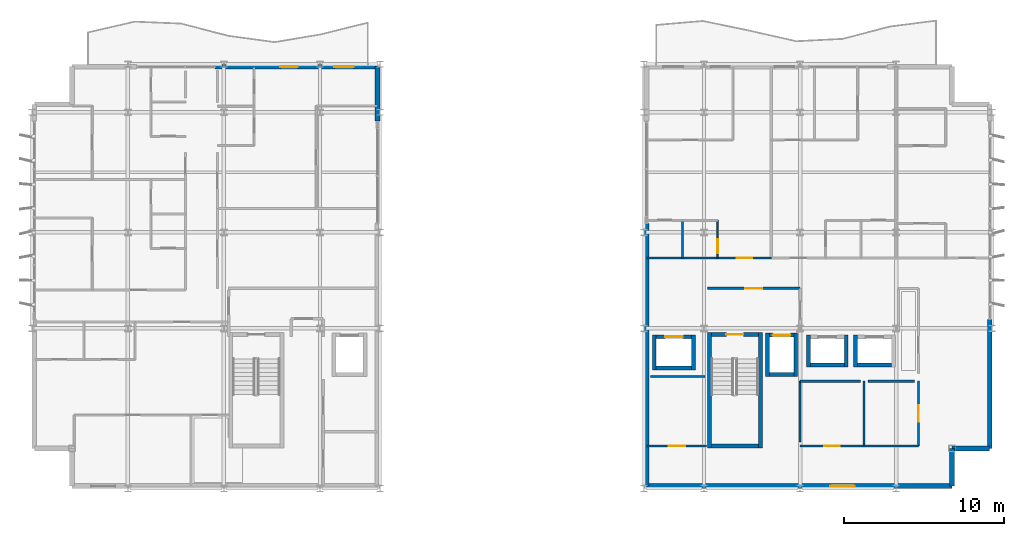
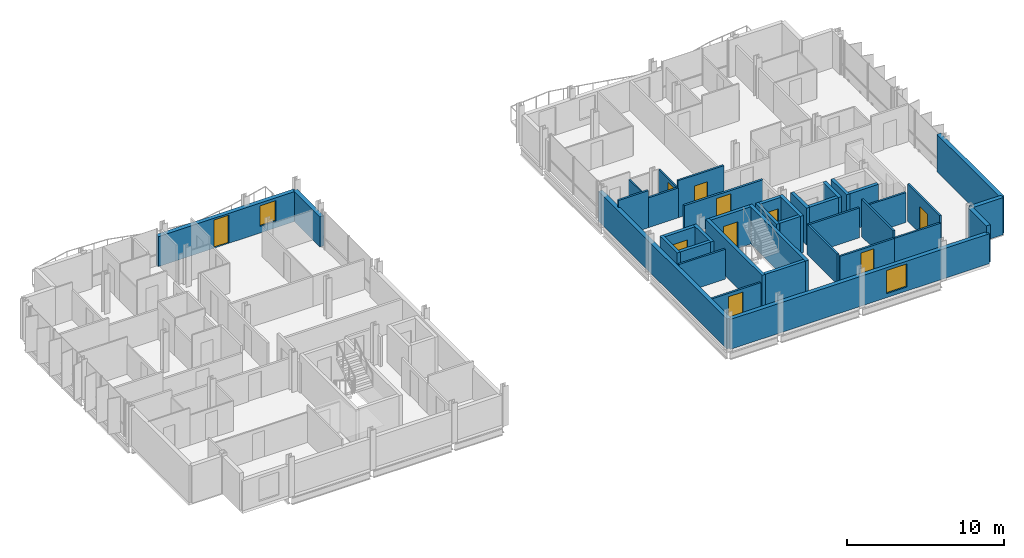
# One storey, part 23 of 29: 39 walls, 10 doors, 2 windows, 12 openings.
"""IFC4 building model written with IfcOpenShell, lengths in metres."""

from ifc_helpers import new_model, si_unit, direction, frame, frame_2d, origin, place, context, subcontext, project, spatial, rectangle, extrude, material, layer, layer_set, type_object, element, fill, save


model = new_model("IFC4")

# Units and contexts
model_context = context("Model", 3, precision=1e-05, world=origin(), true_north=direction((0.0, 1.0)))
body_context = subcontext(model_context, "Body", "Model", "MODEL_VIEW")
ifc_project = project(units=[si_unit("LENGTHUNIT", "METRE"), si_unit("AREAUNIT", "SQUARE_METRE"), si_unit("VOLUMEUNIT", "CUBIC_METRE"), si_unit("PLANEANGLEUNIT", "RADIAN"), si_unit("MASSUNIT", "GRAM", prefix="KILO")], contexts=[model_context])

# Site, building, storey
site_placement = place(None, origin())
site = spatial("IfcSite", under=ifc_project, at=site_placement, CompositionType="ELEMENT")
building_placement = place(site_placement, origin())
building = spatial("IfcBuilding", under=site, at=building_placement, Name="Brevholm Reach", CompositionType="ELEMENT")
storey_placement = place(building_placement, frame((0.0, 0.0, 198.699951171875)))
storey = spatial("IfcBuildingStorey", under=building, at=storey_placement, Name="L60", CompositionType="ELEMENT", Elevation=198.699951171875)

# Walls
ifc_material_1 = material(Name="Concrete C45/55", Category="concrete")
ifc_layer_1 = layer(ifc_material_1, 0.239990234375)
ifc_layer_set_1 = layer_set([ifc_layer_1], Name="Concrete C45/55")
wall_type_1 = type_object("IfcWallType", Name="WAL-COR-240", PredefinedType="SHEAR", material=ifc_layer_set_1)
for number, where, z_axis, x_axis, name in (
    (1, (42.330078125, 2.5400390625, 0.0), (0.0, 0.0, 1.0), (0.0, 1.0, 0.0), "L60 Escape Stair ST-2 Core Wall W"),
    (2, (45.52001953125, 2.5400390625, 0.0), (0.0, 0.0, 1.0), (0.0, 1.0, 0.0), "L60 Escape Stair ST-2 Core Wall E"),
):
    element("IfcWall", number, at=place(storey_placement, frame(where, z_axis=z_axis, x_axis=x_axis)), inside=storey, type_object=wall_type_1, Name=name, PredefinedType="SHEAR", context=body_context, shape_type="SweptSolid", body=[
        extrude(rectangle(XDim=7.199951171875, YDim=0.239990234375, at=frame_2d((3.60009765625, 0.0))), origin(), (0.0, 0.0, 1.0), 2.89013671875),
    ])
wall_1_placement = place(storey_placement, frame((42.449951171875, 2.659912109375, 0.0), z_axis=(0.0, 0.0, 1.0), x_axis=(1.0, 0.0, 0.0)))
element("IfcWall", 3, at=wall_1_placement, inside=storey, type_object=wall_type_1, Name="L60 Escape Stair ST-2 Core Wall S", PredefinedType="SHEAR", context=body_context, shape_type="SweptSolid", body=[
    extrude(rectangle(XDim=2.949951171875, YDim=0.239990234375, at=frame_2d((1.47509765625, 0.0))), origin(), (0.0, 0.0, 1.0), 2.89013671875),
])

# Wall, opening, door
wall_2_placement = place(storey_placement, frame((45.39990234375, 9.6201171875, 0.0), z_axis=(0.0, 0.0, 1.0), x_axis=(-1.0, 0.0, 0.0)))
wall_2 = element("IfcWall", 4, at=wall_2_placement, inside=storey, type_object=wall_type_1, Name="L60 Escape Stair ST-2 Core Wall N", PredefinedType="SHEAR", context=body_context, shape_type="SweptSolid", body=[
    extrude(rectangle(XDim=2.949951171875, YDim=0.239990234375, at=frame_2d((1.47509765625, 0.0))), origin(), (0.0, 0.0, 1.0), 2.89013671875),
])
opening_1_placement = place(wall_2_placement, frame((0.949951171875, 0.0, 0.0)))
opening_1 = element("IfcOpeningElement", 5, at=opening_1_placement, cuts=wall_2, Name="Opening SD-ST-2", PredefinedType="OPENING", context=body_context, shape_type="SweptSolid", body=[
    extrude(rectangle(XDim=1.050048828125, YDim=2.06005859375, at=frame_2d((0.52490234375, 1.030029296875))), frame((0.0, 0.1298828125, 0.0), z_axis=(0.0, -1.0, 0.0), x_axis=(1.0, 0.0, 0.0)), (0.0, 0.0, 1.0), 0.260009765625),
])
ifc_material_2 = material(Name="Hardwood-Lipped Steel-Core Fire and Smoke Door", Category="steel")
door_type_1 = type_object("IfcDoorType", Name="DOR-INT-FD60S", OperationType="NOTDEFINED", PredefinedType="DOOR", material=ifc_material_2)
door_1_placement = place(opening_1_placement, origin())
door_1 = element("IfcDoor", 6, at=door_1_placement, inside=storey, type_object=door_type_1, Name="L60 Protected Stair ST-2 Lobby Door", OperationType="SINGLE_SWING_LEFT", OverallHeight=2.06005859375, OverallWidth=1.050048828125, PredefinedType="DOOR", context=body_context, shape_type="SweptSolid", body=[
    extrude(rectangle(XDim=1.050048828125, YDim=2.06005859375, at=frame_2d((0.52490234375, 1.030029296875))), frame((0.0, 0.02490234375, 0.0), z_axis=(0.0, -1.0, 0.0), x_axis=(1.0, 0.0, 0.0)), (0.0, 0.0, 1.0), 0.050048828125),
])
fill(opening_1, door_1)

# Walls
for number, where, z_axis, x_axis, name in (
    (7, (45.969970703125, 7.0, 0.0), (0.0, 0.0, 1.0), (0.0, 1.0, 0.0), "L60 Lift FFL-2 Shaft Wall W"),
    (8, (47.72998046875, 7.0, 0.0), (0.0, 0.0, 1.0), (0.0, 1.0, 0.0), "L60 Lift FFL-2 Shaft Wall E"),
):
    element("IfcWall", number, at=place(storey_placement, frame(where, z_axis=z_axis, x_axis=x_axis)), inside=storey, type_object=wall_type_1, Name=name, PredefinedType="SHEAR", context=body_context, shape_type="SweptSolid", body=[
        extrude(rectangle(XDim=2.699951171875, YDim=0.239990234375, at=frame_2d((1.35009765625, 0.0))), origin(), (0.0, 0.0, 1.0), 2.89013671875),
    ])
wall_3_placement = place(storey_placement, frame((46.090087890625, 7.1201171875, 0.0), z_axis=(0.0, 0.0, 1.0), x_axis=(1.0, 0.0, 0.0)))
element("IfcWall", 9, at=wall_3_placement, inside=storey, type_object=wall_type_1, Name="L60 Lift FFL-2 Shaft Wall S", PredefinedType="SHEAR", context=body_context, shape_type="SweptSolid", body=[
    extrude(rectangle(XDim=1.52001953125, YDim=0.239990234375, at=frame_2d((0.760009765625, 0.0))), origin(), (0.0, 0.0, 1.0), 2.89013671875),
])

# Wall, opening, door
wall_4_placement = place(storey_placement, frame((46.090087890625, 9.580078125, 0.0), z_axis=(0.0, 0.0, 1.0), x_axis=(1.0, 0.0, 0.0)))
wall_4 = element("IfcWall", 10, at=wall_4_placement, inside=storey, type_object=wall_type_1, Name="L60 Lift FFL-2 Shaft Wall N", PredefinedType="SHEAR", context=body_context, shape_type="SweptSolid", body=[
    extrude(rectangle(XDim=1.52001953125, YDim=0.239990234375, at=frame_2d((0.760009765625, 0.0))), origin(), (0.0, 0.0, 1.0), 2.89013671875),
])
opening_2_placement = place(wall_4_placement, frame((0.2099609375, 0.0, 0.0)))
opening_2 = element("IfcOpeningElement", 11, at=opening_2_placement, cuts=wall_4, Name="Opening LD-FFL-2", PredefinedType="OPENING", context=body_context, shape_type="SweptSolid", body=[
    extrude(rectangle(XDim=1.10009765625, YDim=2.06005859375, at=frame_2d((0.550048828125, 1.030029296875))), frame((0.0, 0.1298828125, 0.0), z_axis=(0.0, -1.0, 0.0), x_axis=(1.0, 0.0, 0.0)), (0.0, 0.0, 1.0), 0.260009765625),
])
ifc_material_3 = material(Name="Brushed Stainless Steel Fire-Rated Sliding Lift Door", Category="steel")
door_type_2 = type_object("IfcDoorType", Name="DOR-LFT-1100", OperationType="NOTDEFINED", PredefinedType="DOOR", material=ifc_material_3)
door_2_placement = place(opening_2_placement, origin())
door_2 = element("IfcDoor", 12, at=door_2_placement, inside=storey, type_object=door_type_2, Name="L60 Lift FFL-2 Sliding Landing Door", OperationType="SLIDING_TO_LEFT", OverallHeight=2.06005859375, OverallWidth=1.10009765625, PredefinedType="DOOR", context=body_context, shape_type="SweptSolid", body=[
    extrude(rectangle(XDim=1.10009765625, YDim=2.06005859375, at=frame_2d((0.550048828125, 1.030029296875))), frame((0.0, 0.02490234375, 0.0), z_axis=(0.0, -1.0, 0.0), x_axis=(1.0, 0.0, 0.0)), (0.0, 0.0, 1.0), 0.050048828125),
])
fill(opening_2, door_2)

# Walls
for number, where, z_axis, x_axis, name in (
    (13, (38.889892578125, 7.39990234375, 0.0), (0.0, 0.0, 1.0), (0.0, 1.0, 0.0), "L60 Lift PL-S1 Shaft Wall W"),
    (14, (41.35009765625, 7.39990234375, 0.0), (0.0, 0.0, 1.0), (0.0, 1.0, 0.0), "L60 Lift PL-S1 Shaft Wall E"),
):
    element("IfcWall", number, at=place(storey_placement, frame(where, z_axis=z_axis, x_axis=x_axis)), inside=storey, type_object=wall_type_1, Name=name, PredefinedType="SHEAR", context=body_context, shape_type="SweptSolid", body=[
        extrude(rectangle(XDim=2.2001953125, YDim=0.239990234375, at=frame_2d((1.10009765625, 0.0))), origin(), (0.0, 0.0, 1.0), 2.89013671875),
    ])
wall_5_placement = place(storey_placement, frame((39.010009765625, 7.52001953125, 0.0), z_axis=(0.0, 0.0, 1.0), x_axis=(1.0, 0.0, 0.0)))
element("IfcWall", 15, at=wall_5_placement, inside=storey, type_object=wall_type_1, Name="L60 Lift PL-S1 Shaft Wall S", PredefinedType="SHEAR", context=body_context, shape_type="SweptSolid", body=[
    extrude(rectangle(XDim=2.219970703125, YDim=0.239990234375, at=frame_2d((1.10986328125, 0.0))), origin(), (0.0, 0.0, 1.0), 2.89013671875),
])

# Wall, opening, door
wall_6_placement = place(storey_placement, frame((39.010009765625, 9.47998046875, 0.0), z_axis=(0.0, 0.0, 1.0), x_axis=(1.0, 0.0, 0.0)))
wall_6 = element("IfcWall", 16, at=wall_6_placement, inside=storey, type_object=wall_type_1, Name="L60 Lift PL-S1 Shaft Wall N", PredefinedType="SHEAR", context=body_context, shape_type="SweptSolid", body=[
    extrude(rectangle(XDim=2.219970703125, YDim=0.239990234375, at=frame_2d((1.10986328125, 0.0))), origin(), (0.0, 0.0, 1.0), 2.89013671875),
])
opening_3_placement = place(wall_6_placement, frame((0.56005859375, 0.0, 0.0)))
opening_3 = element("IfcOpeningElement", 17, at=opening_3_placement, cuts=wall_6, Name="Opening LD-PL-S1", PredefinedType="OPENING", context=body_context, shape_type="SweptSolid", body=[
    extrude(rectangle(XDim=1.10009765625, YDim=2.06005859375, at=frame_2d((0.550048828125, 1.030029296875))), frame((0.0, 0.1298828125, 0.0), z_axis=(0.0, -1.0, 0.0), x_axis=(1.0, 0.0, 0.0)), (0.0, 0.0, 1.0), 0.260009765625),
])
door_3_placement = place(opening_3_placement, origin())
door_3 = element("IfcDoor", 18, at=door_3_placement, inside=storey, type_object=door_type_2, Name="L60 Lift PL-S1 Sliding Landing Door", OperationType="SLIDING_TO_RIGHT", OverallHeight=2.06005859375, OverallWidth=1.10009765625, PredefinedType="DOOR", context=body_context, shape_type="SweptSolid", body=[
    extrude(rectangle(XDim=1.10009765625, YDim=2.06005859375, at=frame_2d((0.550048828125, 1.030029296875))), frame((0.0, 0.02490234375, 0.0), z_axis=(0.0, -1.0, 0.0), x_axis=(1.0, 0.0, 0.0)), (0.0, 0.0, 1.0), 0.050048828125),
])
fill(opening_3, door_3)

# Walls
for number, where, z_axis, x_axis, name in (
    (19, (48.52001953125, 7.60009765625, 0.0), (0.0, 0.0, 1.0), (0.0, 1.0, 0.0), "L60 Lift PL-H1 Shaft Wall W"),
    (20, (50.8798828125, 7.60009765625, 0.0), (0.0, 0.0, 1.0), (0.0, 1.0, 0.0), "L60 Lift PL-H1 Shaft Wall E"),
):
    element("IfcWall", number, at=place(storey_placement, frame(where, z_axis=z_axis, x_axis=x_axis)), inside=storey, type_object=wall_type_1, Name=name, PredefinedType="SHEAR", context=body_context, shape_type="SweptSolid", body=[
        extrude(rectangle(XDim=2.0, YDim=0.239990234375, at=frame_2d((1.0, 0.0))), origin(), (0.0, 0.0, 1.0), 2.89013671875),
    ])
wall_7_placement = place(storey_placement, frame((48.639892578125, 7.719970703125, 0.0), z_axis=(0.0, 0.0, 1.0), x_axis=(1.0, 0.0, 0.0)))
element("IfcWall", 21, at=wall_7_placement, inside=storey, type_object=wall_type_1, Name="L60 Lift PL-H1 Shaft Wall S", PredefinedType="SHEAR", context=body_context, shape_type="SweptSolid", body=[
    extrude(rectangle(XDim=2.1201171875, YDim=0.239990234375, at=frame_2d((1.06005859375, 0.0))), origin(), (0.0, 0.0, 1.0), 2.89013671875),
])
wall_8_placement = place(storey_placement, frame((51.469970703125, 7.60009765625, 0.0), z_axis=(0.0, 0.0, 1.0), x_axis=(0.0, 1.0, 0.0)))
element("IfcWall", 22, at=wall_8_placement, inside=storey, type_object=wall_type_1, Name="L60 Lift PL-H2 Shaft Wall W", PredefinedType="SHEAR", context=body_context, shape_type="SweptSolid", body=[
    extrude(rectangle(XDim=2.0, YDim=0.239990234375, at=frame_2d((1.0, 0.0))), origin(), (0.0, 0.0, 1.0), 2.89013671875),
])
wall_9_placement = place(storey_placement, frame((51.590087890625, 7.719970703125, 0.0), z_axis=(0.0, 0.0, 1.0), x_axis=(1.0, 0.0, 0.0)))
element("IfcWall", 23, at=wall_9_placement, inside=storey, type_object=wall_type_1, Name="L60 Lift PL-H2 Shaft Wall S", PredefinedType="SHEAR", context=body_context, shape_type="SweptSolid", body=[
    extrude(rectangle(XDim=2.119873046875, YDim=0.239990234375, at=frame_2d((1.06005859375, 0.0))), origin(), (0.0, 0.0, 1.0), 2.89013671875),
])
ifc_material_4 = material(Name="Concrete C40/50", Category="concrete")
ifc_layer_2 = layer(ifc_material_4, 0.300048828125)
ifc_layer_set_2 = layer_set([ifc_layer_2], Name="Concrete C40/50")
wall_type_2 = type_object("IfcWallType", Name="WAL-EXT-300", PredefinedType="STANDARD", material=ifc_layer_set_2)
for number, where, z_axis, x_axis, name in (
    (24, (57.5, 0.14990234375, 0.0), (0.0, 0.0, 1.0), (0.0, 1.0, 0.0), "L60 Facade Wall WAL-L60-EW-CSE1"),
    (25, (57.5, 2.5, 0.0), (0.0, 0.0, 1.0), (1.0, 0.0, 0.0), "L60 Facade Wall WAL-L60-EW-CSE2"),
):
    element("IfcWall", number, at=place(storey_placement, frame(where, z_axis=z_axis, x_axis=x_axis)), inside=storey, type_object=wall_type_2, Name=name, PredefinedType="STANDARD", context=body_context, shape_type="SweptSolid", body=[
        extrude(rectangle(XDim=2.35009765625, YDim=0.300048828125, at=frame_2d((1.175048828125, 0.0))), origin(), (0.0, 0.0, 1.0), 2.89013671875),
    ])

# Wall, openings, door, window
wall_10_placement = place(storey_placement, frame((11.449951171875, 26.35009765625, 0.0), z_axis=(0.0, 0.0, 1.0), x_axis=(1.0, 0.0, 0.0)))
wall_10 = element("IfcWall", 26, at=wall_10_placement, inside=storey, type_object=wall_type_2, Name="L60 Facade Wall WAL-L60-WW-NP2", PredefinedType="STANDARD", context=body_context, shape_type="SweptSolid", body=[
    extrude(rectangle(XDim=10.150146484375, YDim=0.300048828125, at=frame_2d((5.0751953125, 0.0))), origin(), (0.0, 0.0, 1.0), 2.33203125),
])
opening_4_placement = place(wall_10_placement, frame((4.073974609375, 0.0, 0.0)))
opening_4 = element("IfcOpeningElement", 27, at=opening_4_placement, cuts=wall_10, Name="Opening BD-01", PredefinedType="OPENING", context=body_context, shape_type="SweptSolid", body=[
    extrude(rectangle(XDim=1.10009765625, YDim=2.199951171875, at=frame_2d((0.550048828125, 1.10009765625))), frame((0.0, 0.159912109375, 0.0), z_axis=(0.0, -1.0, 0.0), x_axis=(1.0, 0.0, 0.0)), (0.0, 0.0, 1.0), 0.320068359375),
])
opening_5_placement = place(wall_10_placement, frame((7.449951171875, 0.0, 0.511962890625)))
opening_5 = element("IfcOpeningElement", 28, at=opening_5_placement, cuts=wall_10, Name="Opening WN-08", PredefinedType="OPENING", context=body_context, shape_type="SweptSolid", body=[
    extrude(rectangle(XDim=1.199951171875, YDim=1.60009765625, at=frame_2d((0.60009765625, 0.800048828125))), frame((0.0, 0.159912109375, 0.0), z_axis=(0.0, -1.0, 0.0), x_axis=(1.0, 0.0, 0.0)), (0.0, 0.0, 1.0), 0.320068359375),
])
ifc_material_5 = material(Name="Dark Anodised Aluminium and Triple-Glazed Glass", Category="aluminium")
door_type_3 = type_object("IfcDoorType", Name="DOR-BALC-1100", OperationType="NOTDEFINED", PredefinedType="DOOR", material=ifc_material_5)
door_4_placement = place(opening_4_placement, origin())
door_4 = element("IfcDoor", 29, at=door_4_placement, inside=storey, type_object=door_type_3, Name="L60 Exterior Door DOR-L60-BL-NW", OperationType="SINGLE_SWING_LEFT", OverallHeight=2.199951171875, OverallWidth=1.10009765625, PredefinedType="DOOR", context=body_context, shape_type="SweptSolid", body=[
    extrude(rectangle(XDim=1.10009765625, YDim=2.199951171875, at=frame_2d((0.550048828125, 1.10009765625))), frame((0.0, 0.02490234375, 0.0), z_axis=(0.0, -1.0, 0.0), x_axis=(1.0, 0.0, 0.0)), (0.0, 0.0, 1.0), 0.050048828125),
])
fill(opening_4, door_4)
ifc_material_6 = material(Name="Dark Anodised Aluminium and Solar-Control IGU Glass", Category="aluminium")
window_type_1 = type_object("IfcWindowType", Name="WIN-RES-1200", PartitioningType="SINGLE_PANEL", PredefinedType="WINDOW", material=ifc_material_6)
window_1_placement = place(opening_5_placement, origin())
window_1 = element("IfcWindow", 30, at=window_1_placement, inside=storey, type_object=window_type_1, Name="L60 Window WIN-L60-WW-NP2", OverallHeight=1.60009765625, OverallWidth=1.199951171875, PartitioningType="SINGLE_PANEL", PredefinedType="WINDOW", context=body_context, shape_type="SweptSolid", body=[
    extrude(rectangle(XDim=1.199951171875, YDim=1.60009765625, at=frame_2d((0.60009765625, 0.800048828125))), frame((0.0, 0.030029296875, 0.0), z_axis=(0.0, -1.0, 0.0), x_axis=(1.0, 0.0, 0.0)), (0.0, 0.0, 1.0), 0.06005859375),
])
fill(opening_5, window_1)

# Walls
wall_11_placement = place(storey_placement, frame((21.60009765625, 22.949951171875, 0.0), z_axis=(0.0, 0.0, 1.0), x_axis=(0.0, 1.0, 0.0)))
element("IfcWall", 31, at=wall_11_placement, inside=storey, type_object=wall_type_2, Name="L60 Facade Wall WAL-L60-VP-WN", PredefinedType="STANDARD", context=body_context, shape_type="SweptSolid", body=[
    extrude(rectangle(XDim=3.400146484375, YDim=0.300048828125, at=frame_2d((1.7001953125, 0.0))), origin(), (0.0, 0.0, 1.0), 2.33203125),
])
wall_12_placement = place(storey_placement, frame((38.39990234375, 16.550048828125, 0.0), z_axis=(0.0, 0.0, 1.0), x_axis=(0.0, -1.0, 0.0)))
element("IfcWall", 32, at=wall_12_placement, inside=storey, type_object=wall_type_2, Name="L60 Facade Wall WAL-L60-VP-ES", PredefinedType="STANDARD", context=body_context, shape_type="SweptSolid", body=[
    extrude(rectangle(XDim=16.400146484375, YDim=0.300048828125, at=frame_2d((8.2001953125, 0.0))), origin(), (0.0, 0.0, 1.0), 2.33203125),
])

# Wall, opening, window
wall_13_placement = place(storey_placement, frame((38.39990234375, 0.14990234375, 0.0), z_axis=(0.0, 0.0, 1.0), x_axis=(1.0, 0.0, 0.0)))
wall_13 = element("IfcWall", 33, at=wall_13_placement, inside=storey, type_object=wall_type_2, Name="L60 Facade Wall WAL-L60-EW-S", PredefinedType="STANDARD", context=body_context, shape_type="SweptSolid", body=[
    extrude(rectangle(XDim=19.10009765625, YDim=0.300048828125, at=frame_2d((9.550048828125, 0.0))), origin(), (0.0, 0.0, 1.0), 2.33203125),
])
opening_6_placement = place(wall_13_placement, frame((11.5, 0.0, 0.31201171875)))
opening_6 = element("IfcOpeningElement", 34, at=opening_6_placement, cuts=wall_13, Name="Opening WN-05", PredefinedType="OPENING", context=body_context, shape_type="SweptSolid", body=[
    extrude(rectangle(XDim=1.5, YDim=1.800048828125, at=frame_2d((0.75, 0.89990234375))), frame((0.0, 0.159912109375, 0.0), z_axis=(0.0, -1.0, 0.0), x_axis=(1.0, 0.0, 0.0)), (0.0, 0.0, 1.0), 0.320068359375),
])
ifc_material_7 = material(Name="Dark Anodised Aluminium and Solar-Control IGU Glass", Category="aluminium")
window_type_2 = type_object("IfcWindowType", Name="WIN-RES-1500", PartitioningType="SINGLE_PANEL", PredefinedType="WINDOW", material=ifc_material_7)
window_2_placement = place(opening_6_placement, origin())
window_2 = element("IfcWindow", 35, at=window_2_placement, inside=storey, type_object=window_type_2, Name="L60 Window WIN-L60-EWS-1", OverallHeight=1.800048828125, OverallWidth=1.5, PartitioningType="SINGLE_PANEL", PredefinedType="WINDOW", context=body_context, shape_type="SweptSolid", body=[
    extrude(rectangle(XDim=1.5, YDim=1.800048828125, at=frame_2d((0.75, 0.89990234375))), frame((0.0, 0.030029296875, 0.0), z_axis=(0.0, -1.0, 0.0), x_axis=(1.0, 0.0, 0.0)), (0.0, 0.0, 1.0), 0.06005859375),
])
fill(opening_6, window_2)

# Walls
wall_14_placement = place(storey_placement, frame((59.85009765625, 2.5, 0.0), z_axis=(0.0, 0.0, 1.0), x_axis=(0.0, 1.0, 0.0)))
element("IfcWall", 36, at=wall_14_placement, inside=storey, type_object=wall_type_2, Name="L60 Facade Wall WAL-L60-EW-ES", PredefinedType="STANDARD", context=body_context, shape_type="SweptSolid", body=[
    extrude(rectangle(XDim=8.050048828125, YDim=0.300048828125, at=frame_2d((4.02490234375, 0.0))), origin(), (0.0, 0.0, 1.0), 2.89013671875),
])
ifc_material_8 = material(Name="Moisture-Resistant Acoustic Gypsum Stud Partition 100 mm", Category="gypsum")
ifc_layer_3 = layer(ifc_material_8, 0.10009765625)
ifc_layer_set_3 = layer_set([ifc_layer_3], Name="Moisture-Resistant Acoustic Gypsum Stud Partition 100 mm")
wall_type_3 = type_object("IfcWallType", Name="WAL-PRT-100", PredefinedType="PARTITIONING", material=ifc_layer_set_3)
wall_15_placement = place(storey_placement, frame((40.64990234375, 14.404052734375, 0.0), z_axis=(0.0, 0.0, 1.0), x_axis=(0.0, 1.0, 0.0)))
element("IfcWall", 37, at=wall_15_placement, inside=storey, type_object=wall_type_3, Name="L60 Internal Partition 070", PredefinedType="PARTITIONING", context=body_context, shape_type="SweptSolid", body=[
    extrude(rectangle(XDim=2.345947265625, YDim=0.10009765625, at=frame_2d((1.1728515625, 0.0))), origin(), (0.0, 0.0, 1.0), 2.325439453125),
])

# Wall, opening, door
wall_16_placement = place(storey_placement, frame((42.85009765625, 14.404052734375, 0.0), z_axis=(0.0, 0.0, 1.0), x_axis=(0.0, 1.0, 0.0)))
wall_16 = element("IfcWall", 38, at=wall_16_placement, inside=storey, type_object=wall_type_3, Name="L60 Internal Partition 072", PredefinedType="PARTITIONING", context=body_context, shape_type="SweptSolid", body=[
    extrude(rectangle(XDim=2.345947265625, YDim=0.10009765625, at=frame_2d((1.1728515625, 0.0))), origin(), (0.0, 0.0, 1.0), 2.325439453125),
])
opening_7_placement = place(wall_16_placement, frame((0.29296875, 0.0, 0.0)))
opening_7 = element("IfcOpeningElement", 39, at=opening_7_placement, cuts=wall_16, Name="Opening ID-01", PredefinedType="OPENING", context=body_context, shape_type="SweptSolid", body=[
    extrude(rectangle(XDim=0.8798828125, YDim=2.0400390625, at=frame_2d((0.43994140625, 1.02001953125))), frame((0.0, 0.06005859375, 0.0), z_axis=(0.0, -1.0, 0.0), x_axis=(1.0, 0.0, 0.0)), (0.0, 0.0, 1.0), 0.1201171875),
])
ifc_material_9 = material(Name="Lacquered Ash Solid-Core Acoustic Internal Door", Category="timber")
door_type_4 = type_object("IfcDoorType", Name="DOR-INT-880", OperationType="NOTDEFINED", PredefinedType="DOOR", material=ifc_material_9)
door_5_placement = place(opening_7_placement, origin())
door_5 = element("IfcDoor", 40, at=door_5_placement, inside=storey, type_object=door_type_4, Name="L60 Internal Door 033", OperationType="SINGLE_SWING_RIGHT", OverallHeight=2.0400390625, OverallWidth=0.8798828125, PredefinedType="DOOR", context=body_context, shape_type="SweptSolid", body=[
    extrude(rectangle(XDim=0.8798828125, YDim=2.0400390625, at=frame_2d((0.43994140625, 1.02001953125))), frame((0.0, 0.02490234375, 0.0), z_axis=(0.0, -1.0, 0.0), x_axis=(1.0, 0.0, 0.0)), (0.0, 0.0, 1.0), 0.050048828125),
])
fill(opening_7, door_5)

ifc_material_10 = material(Name="Twin-Stud Acoustic Fire-Rated Gypsum Partition 140 mm", Category="gypsum")
ifc_layer_4 = layer(ifc_material_10, 0.139892578125)
ifc_layer_set_4 = layer_set([ifc_layer_4], Name="Twin-Stud Acoustic Fire-Rated Gypsum Partition 140 mm")
wall_type_4 = type_object("IfcWallType", Name="WAL-PRT-140", PredefinedType="PARTITIONING", material=ifc_layer_set_4)
wall_17_placement = place(storey_placement, frame((55.39990234375, 2.64990234375, 0.0), z_axis=(0.0, 0.0, 1.0), x_axis=(0.0, 1.0, 0.0)))
wall_17 = element("IfcWall", 41, at=wall_17_placement, inside=storey, type_object=wall_type_4, Name="L60 Internal Partition 006", PredefinedType="PARTITIONING", context=body_context, shape_type="SweptSolid", body=[
    extrude(rectangle(XDim=4.061279296875, YDim=0.139892578125, at=frame_2d((2.03076171875, 0.0))), origin(), (0.0, 0.0, 1.0), 2.89013671875),
])
opening_8_placement = place(wall_17_placement, frame((1.505615234375, 0.0, 0.0)))
opening_8 = element("IfcOpeningElement", 42, at=opening_8_placement, cuts=wall_17, Name="Opening FD-01", PredefinedType="OPENING", context=body_context, shape_type="SweptSolid", body=[
    extrude(rectangle(XDim=1.050048828125, YDim=2.06005859375, at=frame_2d((0.52490234375, 1.030029296875))), frame((0.0, 0.079833984375, 0.0), z_axis=(0.0, -1.0, 0.0), x_axis=(1.0, 0.0, 0.0)), (0.0, 0.0, 1.0), 0.159912109375),
])
door_6_placement = place(opening_8_placement, origin())
door_6 = element("IfcDoor", 43, at=door_6_placement, inside=storey, type_object=door_type_1, Name="L60 Internal Door 004", OperationType="SINGLE_SWING_LEFT", OverallHeight=2.06005859375, OverallWidth=1.050048828125, PredefinedType="DOOR", context=body_context, shape_type="SweptSolid", body=[
    extrude(rectangle(XDim=1.050048828125, YDim=2.06005859375, at=frame_2d((0.52490234375, 1.030029296875))), frame((0.0, 0.02490234375, 0.0), z_axis=(0.0, -1.0, 0.0), x_axis=(1.0, 0.0, 0.0)), (0.0, 0.0, 1.0), 0.050048828125),
])
fill(opening_8, door_6)

wall_18_placement = place(storey_placement, frame((38.449951171875, 2.64990234375, 0.0), z_axis=(0.0, 0.0, 1.0), x_axis=(1.0, 0.0, 0.0)))
wall_18 = element("IfcWall", 44, at=wall_18_placement, inside=storey, type_object=wall_type_4, Name="L60 Internal Partition 008", PredefinedType="PARTITIONING", context=body_context, shape_type="SweptSolid", body=[
    extrude(rectangle(XDim=3.71142578125, YDim=0.139892578125, at=frame_2d((1.855712890625, 0.0))), origin(), (0.0, 0.0, 1.0), 2.325439453125),
])
opening_9_placement = place(wall_18_placement, frame((1.33056640625, 0.0, 0.0)))
opening_9 = element("IfcOpeningElement", 45, at=opening_9_placement, cuts=wall_18, Name="Opening FD-01", PredefinedType="OPENING", context=body_context, shape_type="SweptSolid", body=[
    extrude(rectangle(XDim=1.050048828125, YDim=2.06005859375, at=frame_2d((0.52490234375, 1.030029296875))), frame((0.0, 0.079833984375, 0.0), z_axis=(0.0, -1.0, 0.0), x_axis=(1.0, 0.0, 0.0)), (0.0, 0.0, 1.0), 0.159912109375),
])
door_7_placement = place(opening_9_placement, origin())
door_7 = element("IfcDoor", 46, at=door_7_placement, inside=storey, type_object=door_type_1, Name="L60 Internal Door 006", OperationType="SINGLE_SWING_LEFT", OverallHeight=2.06005859375, OverallWidth=1.050048828125, PredefinedType="DOOR", context=body_context, shape_type="SweptSolid", body=[
    extrude(rectangle(XDim=1.050048828125, YDim=2.06005859375, at=frame_2d((0.52490234375, 1.030029296875))), frame((0.0, 0.02490234375, 0.0), z_axis=(0.0, -1.0, 0.0), x_axis=(1.0, 0.0, 0.0)), (0.0, 0.0, 1.0), 0.050048828125),
])
fill(opening_9, door_7)

wall_19_placement = place(storey_placement, frame((47.98876953125, 2.64990234375, 0.0), z_axis=(0.0, 0.0, 1.0), x_axis=(1.0, 0.0, 0.0)))
wall_19 = element("IfcWall", 47, at=wall_19_placement, inside=storey, type_object=wall_type_4, Name="L60 Internal Partition 009", PredefinedType="PARTITIONING", context=body_context, shape_type="SweptSolid", body=[
    extrude(rectangle(XDim=4.0224609375, YDim=0.139892578125, at=frame_2d((2.01123046875, 0.0))), origin(), (0.0, 0.0, 1.0), 2.325439453125),
])
opening_10_placement = place(wall_19_placement, frame((1.536376953125, 0.0, 0.0)))
opening_10 = element("IfcOpeningElement", 48, at=opening_10_placement, cuts=wall_19, Name="Opening ID-30", PredefinedType="OPENING", context=body_context, shape_type="SweptSolid", body=[
    extrude(rectangle(XDim=0.949951171875, YDim=2.050048828125, at=frame_2d((0.47509765625, 1.02490234375))), frame((0.0, 0.079833984375, 0.0), z_axis=(0.0, -1.0, 0.0), x_axis=(1.0, 0.0, 0.0)), (0.0, 0.0, 1.0), 0.159912109375),
])
ifc_material_11 = material(Name="European Oak Veneered Solid-Core Fire Entrance Door", Category="timber")
door_type_5 = type_object("IfcDoorType", Name="DOR-FLT-FD30S", OperationType="NOTDEFINED", PredefinedType="DOOR", material=ifc_material_11)
door_8_placement = place(opening_10_placement, origin())
door_8 = element("IfcDoor", 49, at=door_8_placement, inside=storey, type_object=door_type_5, Name="L60 Internal Door 007", OperationType="SINGLE_SWING_RIGHT", OverallHeight=2.050048828125, OverallWidth=0.949951171875, PredefinedType="DOOR", context=body_context, shape_type="SweptSolid", body=[
    extrude(rectangle(XDim=0.949951171875, YDim=2.050048828125, at=frame_2d((0.47509765625, 1.02490234375))), frame((0.0, 0.02490234375, 0.0), z_axis=(0.0, -1.0, 0.0), x_axis=(1.0, 0.0, 0.0)), (0.0, 0.0, 1.0), 0.050048828125),
])
fill(opening_10, door_8)

# Walls
wall_20_placement = place(storey_placement, frame((51.99267578125, 2.64990234375, 0.0), z_axis=(0.0, 0.0, 1.0), x_axis=(1.0, 0.0, 0.0)))
element("IfcWall", 50, at=wall_20_placement, inside=storey, type_object=wall_type_4, Name="L60 Internal Partition 010", PredefinedType="PARTITIONING", context=body_context, shape_type="SweptSolid", body=[
    extrude(rectangle(XDim=3.4033203125, YDim=0.139892578125, at=frame_2d((1.70166015625, 0.0))), origin(), (0.0, 0.0, 1.0), 2.325439453125),
])
wall_21_placement = place(storey_placement, frame((52.0, 2.654052734375, 0.0), z_axis=(0.0, 0.0, 1.0), x_axis=(0.0, 1.0, 0.0)))
element("IfcWall", 51, at=wall_21_placement, inside=storey, type_object=wall_type_4, Name="L60 Internal Partition 012", PredefinedType="PARTITIONING", context=body_context, shape_type="SweptSolid", body=[
    extrude(rectangle(XDim=4.0458984375, YDim=0.139892578125, at=frame_2d((2.02294921875, 0.0))), origin(), (0.0, 0.0, 1.0), 2.89013671875),
])
wall_22_placement = place(storey_placement, frame((38.449951171875, 14.39990234375, 0.0), z_axis=(0.0, 0.0, 1.0), x_axis=(1.0, 0.0, 0.0)))
element("IfcWall", 52, at=wall_22_placement, inside=storey, type_object=wall_type_4, Name="L60 Internal Partition 031", PredefinedType="PARTITIONING", context=body_context, shape_type="SweptSolid", body=[
    extrude(rectangle(XDim=2.21142578125, YDim=0.139892578125, at=frame_2d((1.105712890625, 0.0))), origin(), (0.0, 0.0, 1.0), 2.89013671875),
])
wall_23_placement = place(storey_placement, frame((40.642578125, 14.39990234375, 0.0), z_axis=(0.0, 0.0, 1.0), x_axis=(1.0, 0.0, 0.0)))
element("IfcWall", 53, at=wall_23_placement, inside=storey, type_object=wall_type_4, Name="L60 Internal Partition 032", PredefinedType="PARTITIONING", context=body_context, shape_type="SweptSolid", body=[
    extrude(rectangle(XDim=2.21875, YDim=0.139892578125, at=frame_2d((1.109375, 0.0))), origin(), (0.0, 0.0, 1.0), 2.325439453125),
])

# Wall, opening, door
wall_24_placement = place(storey_placement, frame((42.8427734375, 14.39990234375, 0.0), z_axis=(0.0, 0.0, 1.0), x_axis=(1.0, 0.0, 0.0)))
wall_24 = element("IfcWall", 54, at=wall_24_placement, inside=storey, type_object=wall_type_4, Name="L60 Internal Partition 033", PredefinedType="PARTITIONING", context=body_context, shape_type="SweptSolid", body=[
    extrude(rectangle(XDim=3.368408203125, YDim=0.139892578125, at=frame_2d((1.68408203125, 0.0))), origin(), (0.0, 0.0, 1.0), 2.89013671875),
])
opening_11_placement = place(wall_24_placement, frame((1.209228515625, 0.0, 0.0)))
opening_11 = element("IfcOpeningElement", 55, at=opening_11_placement, cuts=wall_24, Name="Opening ID-30", PredefinedType="OPENING", context=body_context, shape_type="SweptSolid", body=[
    extrude(rectangle(XDim=0.949951171875, YDim=2.050048828125, at=frame_2d((0.47509765625, 1.02490234375))), frame((0.0, 0.079833984375, 0.0), z_axis=(0.0, -1.0, 0.0), x_axis=(1.0, 0.0, 0.0)), (0.0, 0.0, 1.0), 0.159912109375),
])
door_9_placement = place(opening_11_placement, origin())
door_9 = element("IfcDoor", 56, at=door_9_placement, inside=storey, type_object=door_type_5, Name="L60 Internal Door 016", OperationType="SINGLE_SWING_LEFT", OverallHeight=2.050048828125, OverallWidth=0.949951171875, PredefinedType="DOOR", context=body_context, shape_type="SweptSolid", body=[
    extrude(rectangle(XDim=0.949951171875, YDim=2.050048828125, at=frame_2d((0.47509765625, 1.02490234375))), frame((0.0, 0.02490234375, 0.0), z_axis=(0.0, -1.0, 0.0), x_axis=(1.0, 0.0, 0.0)), (0.0, 0.0, 1.0), 0.050048828125),
])
fill(opening_11, door_9)

# Walls
wall_25_placement = place(storey_placement, frame((38.639892578125, 7.0, 0.0), z_axis=(0.0, 0.0, 1.0), x_axis=(1.0, 0.0, 0.0)))
element("IfcWall", 57, at=wall_25_placement, inside=storey, type_object=wall_type_4, Name="L60 Internal Partition 095", PredefinedType="PARTITIONING", context=body_context, shape_type="SweptSolid", body=[
    extrude(rectangle(XDim=3.420166015625, YDim=0.139892578125, at=frame_2d((1.7099609375, 0.0))), origin(), (0.0, 0.0, 1.0), 2.325439453125),
])
wall_26_placement = place(storey_placement, frame((48.0, 6.699951171875, 0.0), z_axis=(0.0, 0.0, 1.0), x_axis=(1.0, 0.0, 0.0)))
element("IfcWall", 58, at=wall_26_placement, inside=storey, type_object=wall_type_4, Name="L60 Internal Partition 096", PredefinedType="PARTITIONING", context=body_context, shape_type="SweptSolid", body=[
    extrude(rectangle(XDim=3.760009765625, YDim=0.139892578125, at=frame_2d((1.8798828125, 0.0))), origin(), (0.0, 0.0, 1.0), 2.325439453125),
])
wall_27_placement = place(storey_placement, frame((48.0, 2.889892578125, 0.0), z_axis=(0.0, 0.0, 1.0), x_axis=(0.0, 1.0, 0.0)))
element("IfcWall", 59, at=wall_27_placement, inside=storey, type_object=wall_type_4, Name="L60 Internal Partition 097", PredefinedType="PARTITIONING", context=body_context, shape_type="SweptSolid", body=[
    extrude(rectangle(XDim=3.81005859375, YDim=0.139892578125, at=frame_2d((1.905029296875, 0.0))), origin(), (0.0, 0.0, 1.0), 2.325439453125),
])
wall_28_placement = place(storey_placement, frame((52.239990234375, 6.699951171875, 0.0), z_axis=(0.0, 0.0, 1.0), x_axis=(1.0, 0.0, 0.0)))
element("IfcWall", 60, at=wall_28_placement, inside=storey, type_object=wall_type_4, Name="L60 Internal Partition 098", PredefinedType="PARTITIONING", context=body_context, shape_type="SweptSolid", body=[
    extrude(rectangle(XDim=2.919921875, YDim=0.139892578125, at=frame_2d((1.4599609375, 0.0))), origin(), (0.0, 0.0, 1.0), 2.325439453125),
])

# Wall, opening, door
ifc_material_12 = material(Name="Twin-Frame Fire-Rated Gypsum Board and Mineral Wool 160 mm", Category="gypsum")
ifc_layer_5 = layer(ifc_material_12, 0.159912109375)
ifc_layer_set_5 = layer_set([ifc_layer_5], Name="Twin-Frame Fire-Rated Gypsum Board and Mineral Wool 160 mm")
wall_type_5 = type_object("IfcWallType", Name="WAL-PRT-160", PredefinedType="PARTITIONING", material=ifc_layer_set_5)
wall_29_placement = place(storey_placement, frame((42.199951171875, 12.5, 0.0), z_axis=(0.0, 0.0, 1.0), x_axis=(1.0, 0.0, 0.0)))
wall_29 = element("IfcWall", 61, at=wall_29_placement, inside=storey, type_object=wall_type_5, Name="L60 Internal Partition 028", PredefinedType="PARTITIONING", context=body_context, shape_type="SweptSolid", body=[
    extrude(rectangle(XDim=5.800048828125, YDim=0.159912109375, at=frame_2d((2.89990234375, 0.0))), origin(), (0.0, 0.0, 1.0), 2.325439453125),
])
opening_12_placement = place(wall_29_placement, frame((2.375, 0.0, 0.0)))
opening_12 = element("IfcOpeningElement", 62, at=opening_12_placement, cuts=wall_29, Name="Opening FD-01", PredefinedType="OPENING", context=body_context, shape_type="SweptSolid", body=[
    extrude(rectangle(XDim=1.050048828125, YDim=2.06005859375, at=frame_2d((0.52490234375, 1.030029296875))), frame((0.0, 0.08984375, 0.0), z_axis=(0.0, -1.0, 0.0), x_axis=(1.0, 0.0, 0.0)), (0.0, 0.0, 1.0), 0.179931640625),
])
door_10_placement = place(opening_12_placement, origin())
door_10 = element("IfcDoor", 63, at=door_10_placement, inside=storey, type_object=door_type_1, Name="L60 Internal Door 015", OperationType="SINGLE_SWING_RIGHT", OverallHeight=2.06005859375, OverallWidth=1.050048828125, PredefinedType="DOOR", context=body_context, shape_type="SweptSolid", body=[
    extrude(rectangle(XDim=1.050048828125, YDim=2.06005859375, at=frame_2d((0.52490234375, 1.030029296875))), frame((0.0, 0.02490234375, 0.0), z_axis=(0.0, -1.0, 0.0), x_axis=(1.0, 0.0, 0.0)), (0.0, 0.0, 1.0), 0.050048828125),
])
fill(opening_12, door_10)

save(model, "model.ifc")
